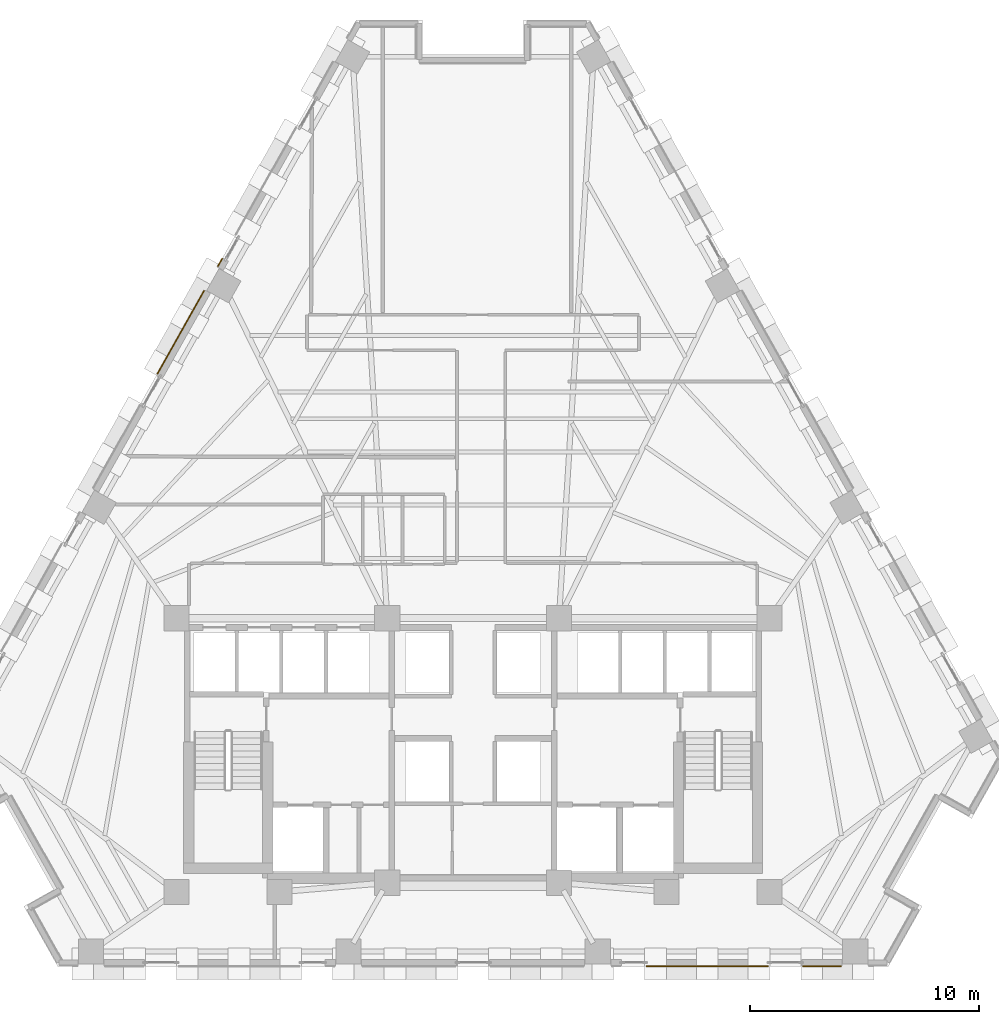
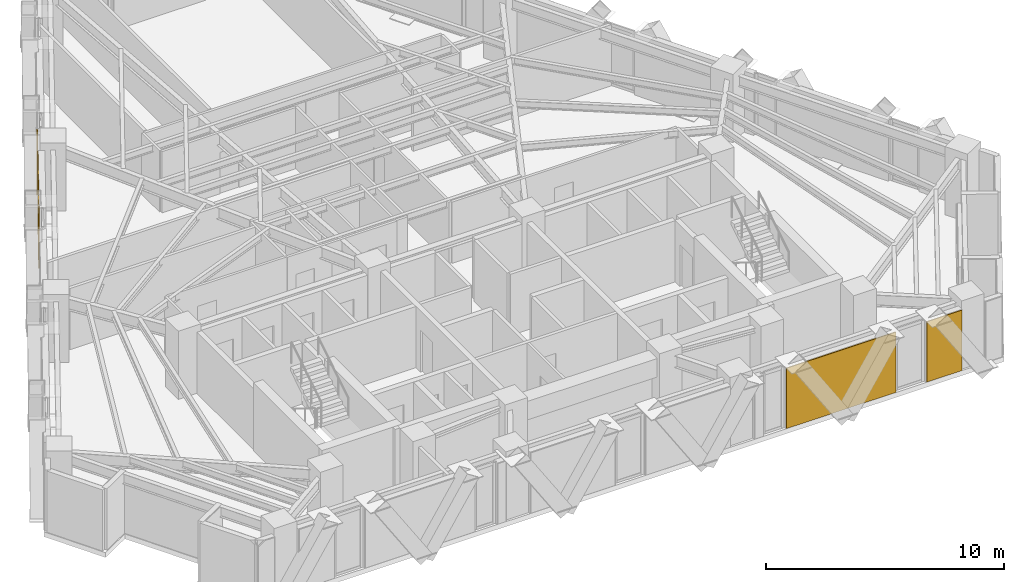
# One storey, part 11 of 13: 4 coverings.
"""IFC4 building model written with IfcOpenShell, lengths in metres."""

from ifc_helpers import new_model, si_unit, direction, frame, origin, place, context, subcontext, project, spatial, polyline, outline, extrude, material, layer, layer_set, type_object, element, save


model = new_model("IFC4")

# Units and contexts
model_context = context("Model", 3, precision=1e-05, world=origin(), true_north=direction((0.0, 1.0)))
body_context = subcontext(model_context, "Body", "Model", "MODEL_VIEW")
ifc_project = project(units=[si_unit("LENGTHUNIT", "METRE"), si_unit("AREAUNIT", "SQUARE_METRE"), si_unit("VOLUMEUNIT", "CUBIC_METRE"), si_unit("PLANEANGLEUNIT", "RADIAN"), si_unit("MASSUNIT", "GRAM", prefix="KILO")], contexts=[model_context])

# Site, building, storey
site_placement = place(None, origin())
site = spatial("IfcSite", under=ifc_project, at=site_placement, CompositionType="ELEMENT")
building_placement = place(site_placement, origin())
building = spatial("IfcBuilding", under=site, at=building_placement, Name="Quenlor Broadcast Tower", CompositionType="ELEMENT")
storey_placement = place(building_placement, frame((0.0, 0.0, 87.10009765625)))
storey = spatial("IfcBuildingStorey", under=building, at=storey_placement, Name="L23", CompositionType="ELEMENT", Elevation=87.10009765625)

# Coverings
ifc_material = material(Name="Architectural Terracotta Ceramic", Category="masonry")
ifc_layer = layer(ifc_material, 0.044921875)
ifc_layer_set = layer_set([ifc_layer], Name="Fluted Terracotta Rainscreen Cladding Panel")
covering_type = type_object("IfcCoveringType", Name="Fluted Terracotta Rainscreen Cladding Panel", PredefinedType="CLADDING", material=ifc_layer_set)
covering_1_placement = place(storey_placement, frame((0.0, 0.0, 0.02001953125)))
element("IfcCovering", 1, at=covering_1_placement, inside=storey, type_object=covering_type, Name="L23 Terracotta Rainscreen Cladding L23-SA-SP1", PredefinedType="CLADDING", context=body_context, shape_type="SweptSolid", body=[
    extrude(outline(polyline([(16.08740234375, -19.971923828125), (14.386962890625, -19.971923828125), (14.386962890625, -20.01708984375), (16.08740234375, -20.01708984375), (16.08740234375, -19.971923828125)])), origin(), (0.0, 0.0, 1.0), 3.099853515625),
])
covering_2_placement = place(storey_placement, frame((0.0, 0.0, 0.02001953125)))
element("IfcCovering", 2, at=covering_2_placement, inside=storey, type_object=covering_type, Name="L23 Terracotta Rainscreen Cladding L23-SA-SP2", PredefinedType="CLADDING", context=body_context, shape_type="SweptSolid", body=[
    extrude(outline(polyline([(12.883544921875, -19.971923828125), (7.5693359375, -19.971923828125), (7.5693359375, -20.01708984375), (12.883544921875, -20.01708984375), (12.883544921875, -19.971923828125)])), origin(), (0.0, 0.0, 1.0), 3.099853515625),
])
covering_3_placement = place(storey_placement, frame((0.0, 0.0, 0.02001953125)))
element("IfcCovering", 3, at=covering_3_placement, inside=storey, type_object=covering_type, Name="L23 Terracotta Rainscreen Cladding L23-NWC-SP1", PredefinedType="CLADDING", context=body_context, shape_type="SweptSolid", body=[
    extrude(outline(polyline([(-11.13232421875, 10.552001953125), (-10.936279296875, 10.900634765625), (-10.9755859375, 10.922607421875), (-11.171630859375, 10.57421875), (-11.13232421875, 10.552001953125)])), origin(), (0.0, 0.0, 1.0), 3.099853515625),
])
covering_4_placement = place(storey_placement, frame((0.0, 0.0, 0.02001953125)))
element("IfcCovering", 4, at=covering_4_placement, inside=storey, type_object=covering_type, Name="L23 Terracotta Rainscreen Cladding L23-NW-SP2", PredefinedType="CLADDING", context=body_context, shape_type="SweptSolid", body=[
    extrude(outline(polyline([(-13.770263671875, 5.8623046875), (-11.72314453125, 9.501708984375), (-11.76220703125, 9.523681640625), (-13.8095703125, 5.884521484375), (-13.770263671875, 5.8623046875)])), origin(), (0.0, 0.0, 1.0), 3.099853515625),
])

save(model, "model.ifc")
